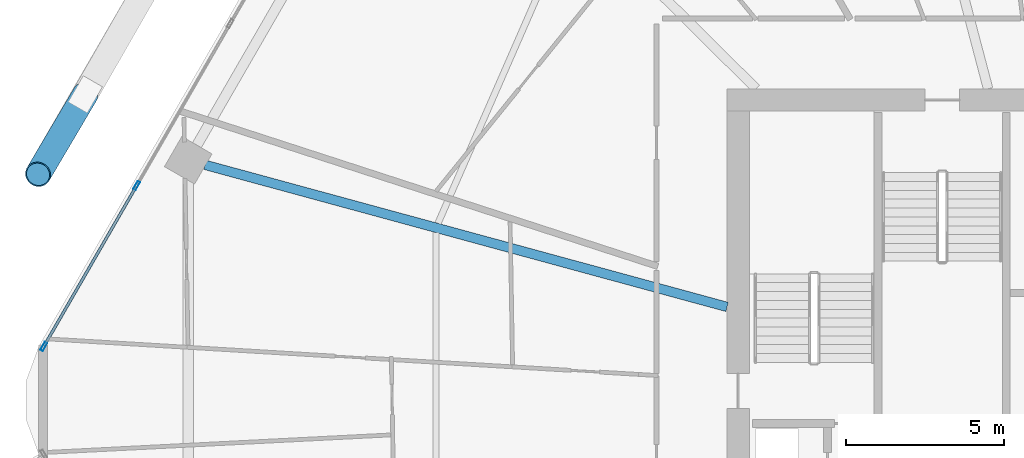
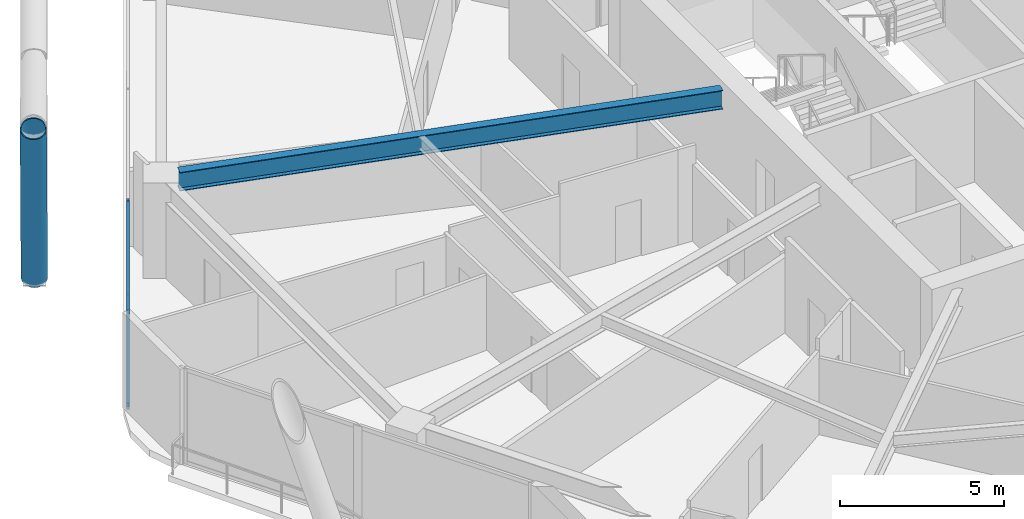
# One storey, part 14 of 34: 5 members, 1 beam, 1 element without a shape of its own.
"""IFC4 building model written with IfcOpenShell, lengths in metres."""

from ifc_helpers import new_model, si_unit, direction, frame, origin, origin_2d, place, context, subcontext, project, spatial, hollow_rectangle, hollow_circle, i_section, extrude, material, material_profile, profile_set, type_object, element, aggregate, save


model = new_model("IFC4")

# Units and contexts
model_context = context("Model", 3, precision=1e-05, world=origin(), true_north=direction((0.0, 1.0)))
body_context = subcontext(model_context, "Body", "Model", "MODEL_VIEW")
ifc_project = project(units=[si_unit("LENGTHUNIT", "METRE"), si_unit("AREAUNIT", "SQUARE_METRE"), si_unit("VOLUMEUNIT", "CUBIC_METRE"), si_unit("PLANEANGLEUNIT", "RADIAN"), si_unit("MASSUNIT", "GRAM", prefix="KILO")], contexts=[model_context])

# Site, building, storey
site_placement = place(None, origin())
site = spatial("IfcSite", under=ifc_project, at=site_placement, CompositionType="ELEMENT")
building_placement = place(site_placement, origin())
building = spatial("IfcBuilding", under=site, at=building_placement, Name="Zuhravey Tower", CompositionType="ELEMENT")
storey_placement = place(building_placement, frame((0.0, 0.0, 100.0)))
storey = spatial("IfcBuildingStorey", under=building, at=storey_placement, Name="L24", CompositionType="ELEMENT", Elevation=100.0)

# Curtain wall, members
ifc_material_1 = material(Name="Thermally broken anodised aluminium", Category="aluminium")
curtain_wall_type = type_object("IfcCurtainWallType", Name="Zone 1-2 Residential Curtain Wall CW3", PredefinedType="NOTDEFINED", material=ifc_material_1)
curtain_wall_placement = place(storey_placement, origin())
curtain_wall = element("IfcCurtainWall", 1, at=curtain_wall_placement, inside=storey, type_object=curtain_wall_type, Name="L24 CW3 CW-L24-F3-1", PredefinedType="NOTDEFINED")
ifc_material_2 = material(Name="Anodised aluminium", Category="aluminium")
ifc_material_profile_1 = material_profile(ifc_material_2, hollow_rectangle(XDim=0.090087890625, YDim=0.284912109375, WallThickness=0.0048828125, at=origin_2d()), Name="ALU-RHS-90x285x5")
ifc_profile_set_1 = profile_set([ifc_material_profile_1], Name="Anodised aluminium")
member_type_1 = type_object("IfcMemberType", Name="Curtain-Wall Mullion 90x180", PredefinedType="MULLION", material=ifc_profile_set_1)
member_1_placement = place(storey_placement, frame((3.5439453125, 33.701416015625, 0.0), z_axis=(0.0, 0.0, 1.0), x_axis=(-0.86602552265, 0.499999794119, 0.0)))
member_1 = element("IfcMember", 2, at=member_1_placement, type_object=member_type_1, Name="CW3 mullion 1", PredefinedType="MULLION", context=body_context, shape_type="SweptSolid", body=[
    extrude(hollow_rectangle(XDim=0.090087890625, YDim=0.284912109375, WallThickness=0.0048828125, at=origin_2d()), origin(), (0.0, 0.0, 1.0), 3.550048828125),
])
member_2_placement = place(storey_placement, frame((6.4814453125, 38.789306640625, 0.0), z_axis=(0.0, 0.0, 1.0), x_axis=(-0.86602552265, 0.499999794119, 0.0)))
member_2 = element("IfcMember", 3, at=member_2_placement, type_object=member_type_1, Name="CW3 mullion 2", PredefinedType="MULLION", context=body_context, shape_type="SweptSolid", body=[
    extrude(hollow_rectangle(XDim=0.090087890625, YDim=0.284912109375, WallThickness=0.0048828125, at=origin_2d()), origin(), (0.0, 0.0, 1.0), 3.550048828125),
])
ifc_material_profile_2 = material_profile(ifc_material_2, hollow_rectangle(XDim=0.090087890625, YDim=0.14990234375, WallThickness=0.0048828125, at=origin_2d()), Name="ALU-RHS-90x150x5")
ifc_profile_set_2 = profile_set([ifc_material_profile_2], Name="Anodised aluminium")
member_type_2 = type_object("IfcMemberType", Name="Curtain-Wall Transom 90x150", PredefinedType="USERDEFINED", material=ifc_profile_set_2)
member_3_placement = place(storey_placement, frame((3.56640625, 33.740478515625, 0.044921875), z_axis=(0.500024450573, 0.866011286779, 0.0), x_axis=(-0.866011286779, 0.500024450573, 0.0)))
member_3 = element("IfcMember", 4, at=member_3_placement, type_object=member_type_2, Name="CW3 transom 1.1", ObjectType="TRANSOM", PredefinedType="USERDEFINED", context=body_context, shape_type="SweptSolid", body=[
    extrude(hollow_rectangle(XDim=0.090087890625, YDim=0.14990234375, WallThickness=0.0048828125, at=origin_2d()), origin(), (0.0, 0.0, 1.0), 5.784912109375),
])
member_4_placement = place(storey_placement, frame((3.56640625, 33.740478515625, 3.5048828125), z_axis=(0.500024450573, 0.866011286779, 0.0), x_axis=(-0.866011286779, 0.500024450573, 0.0)))
member_4 = element("IfcMember", 5, at=member_4_placement, type_object=member_type_2, Name="CW3 transom 1.2", ObjectType="TRANSOM", PredefinedType="USERDEFINED", context=body_context, shape_type="SweptSolid", body=[
    extrude(hollow_rectangle(XDim=0.090087890625, YDim=0.14990234375, WallThickness=0.0048828125, at=origin_2d()), origin(), (0.0, 0.0, 1.0), 5.784912109375),
])
aggregate(curtain_wall, [member_1, member_2, member_3, member_4])

# Member
ifc_material_3 = material(Name="Steel SM460", Category="steel")
ifc_material_profile_3 = material_profile(ifc_material_3, hollow_circle(Radius=0.406494140625, WallThickness=0.035888671875, at=origin_2d()), Name="CHS-812.8x36")
ifc_profile_set_3 = profile_set([ifc_material_profile_3], Name="Steel SM460")
member_type_3 = type_object("IfcMemberType", Name="Exoskeleton Zone 1 Diagrid CHS813x36", PredefinedType="BRACE", material=ifc_profile_set_3)
member_5_placement = place(storey_placement, frame((4.851806640625, 41.666748046875, -0.44189453125), z_axis=(-0.18373916367, -0.31086207799, 0.932525971864), x_axis=(0.86086838172, -0.508827701049, 0.0)))
element("IfcMember", 6, at=member_5_placement, inside=storey, type_object=member_type_3, Name="L24 Face 3 Diagrid Brace 4", PredefinedType="BRACE", context=body_context, shape_type="SweptSolid", body=[
    extrude(hollow_circle(Radius=0.406494140625, WallThickness=0.035888671875, at=origin_2d()), origin(), (0.0, 0.0, 1.0), 8.1025390625),
])

# Beam
ifc_material_4 = material(Name="Steel SM355", Category="steel")
ifc_material_profile_4 = material_profile(ifc_material_4, i_section(OverallWidth=0.300048828125, OverallDepth=0.699951171875, WebThickness=0.012939453125, FlangeThickness=0.02392578125, at=origin_2d()), Name="H-700x300x13x24")
ifc_profile_set_4 = profile_set([ifc_material_profile_4], Name="Steel SM355")
beam_type = type_object("IfcBeamType", Name="Radial Primary Girder H700x300", PredefinedType="BEAM", material=ifc_profile_set_4)
beam_placement = place(storey_placement, frame((25.14697265625, 34.954345703125, 3.199951171875), z_axis=(-0.964893166225, 0.262642680791, 0.0), x_axis=(-0.262642680791, -0.964893166225, 0.0)))
element("IfcBeam", 7, at=beam_placement, inside=storey, type_object=beam_type, Name="L24 RG1 BM-L24-RAD-06", PredefinedType="BEAM", context=body_context, shape_type="SweptSolid", body=[
    extrude(i_section(OverallWidth=0.300048828125, OverallDepth=0.699951171875, WebThickness=0.012939453125, FlangeThickness=0.02392578125, at=origin_2d()), origin(), (0.0, 0.0, 1.0), 17.102783203125),
])

save(model, "model.ifc")
